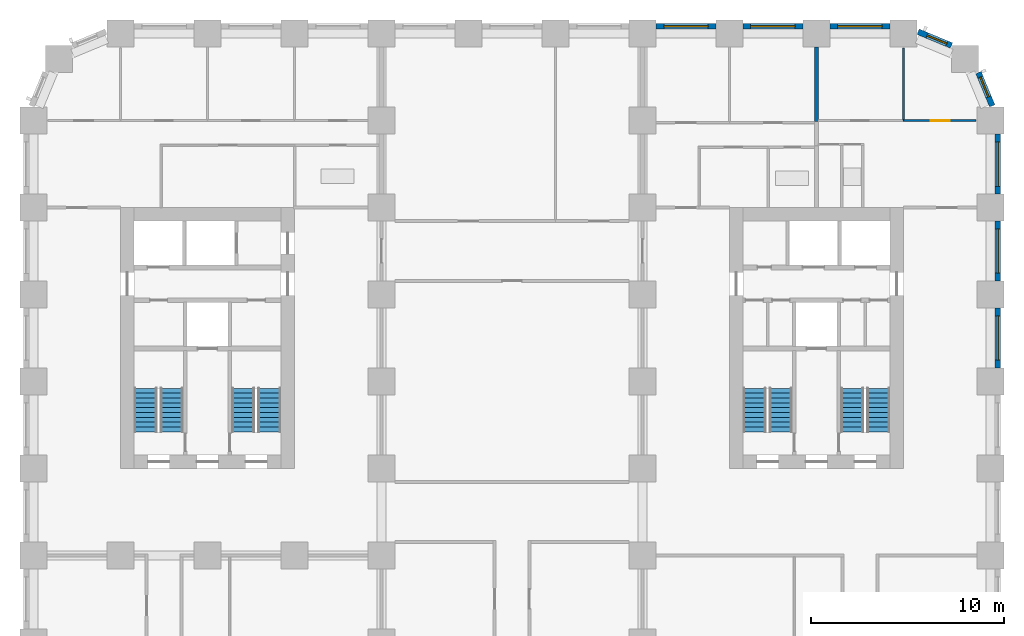
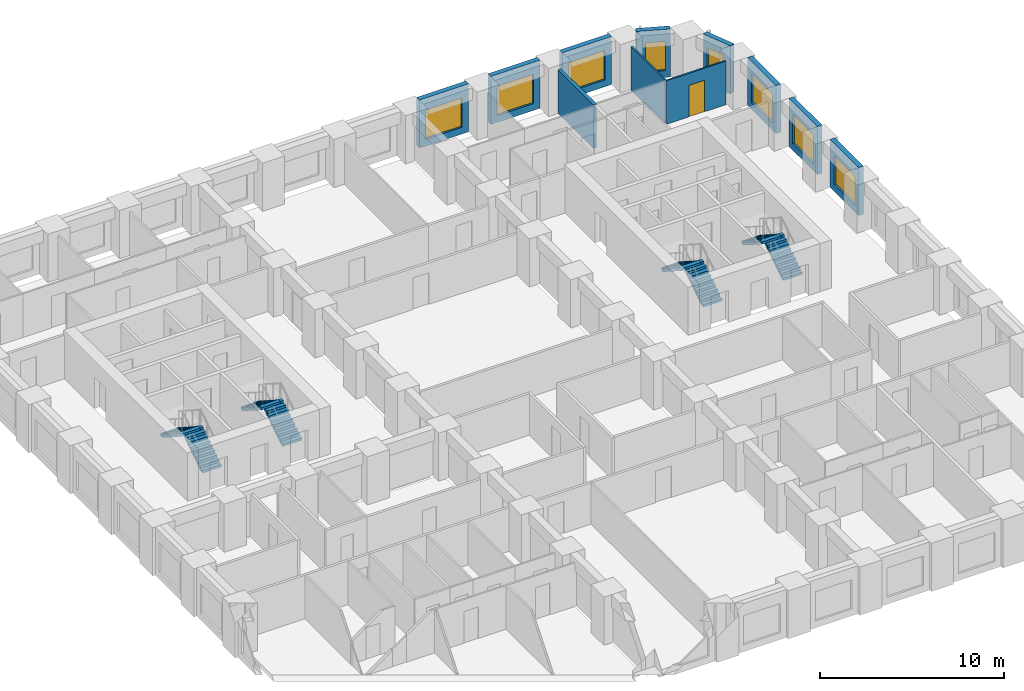
# One storey, part 9 of 12: 11 walls, 8 stair flights, 8 windows, 1 door, 9 openings, 4 elements without a shape of their own.
"""IFC4 building model written with IfcOpenShell, lengths in metres."""

from ifc_helpers import new_model, si_unit, direction, frame, frame_2d, origin, place, context, subcontext, project, spatial, polyline, rectangle, outline, extrude, material, layer, layer_set, type_object, element, fill, aggregate, save


model = new_model("IFC4")

# Units and contexts
model_context = context("Model", 3, precision=1e-05, world=origin(), true_north=direction((0.0, 1.0)))
body_context = subcontext(model_context, "Body", "Model", "MODEL_VIEW")
ifc_project = project(units=[si_unit("LENGTHUNIT", "METRE"), si_unit("AREAUNIT", "SQUARE_METRE"), si_unit("VOLUMEUNIT", "CUBIC_METRE"), si_unit("PLANEANGLEUNIT", "RADIAN"), si_unit("MASSUNIT", "GRAM", prefix="KILO")], contexts=[model_context])

# Site, building, storey
site_placement = place(None, origin())
site = spatial("IfcSite", under=ifc_project, at=site_placement, CompositionType="ELEMENT")
building_placement = place(site_placement, origin())
building = spatial("IfcBuilding", under=site, at=building_placement, Name="Girih Gate Residences", CompositionType="ELEMENT")
storey_placement = place(building_placement, frame((0.0, 0.0, 62.39990234375)))
storey = spatial("IfcBuildingStorey", under=building, at=storey_placement, Name="L16", CompositionType="ELEMENT", Elevation=62.39990234375)

# Wall
ifc_material_1 = material(Name="Gypsum board on steel studs", Category="steel")
ifc_layer_1 = layer(ifc_material_1, 0.10009765625)
ifc_layer_set_1 = layer_set([ifc_layer_1], Name="Partition 100 mm")
wall_type_1 = type_object("IfcWallType", Name="Partition 100 mm", PredefinedType="PARTITIONING", material=ifc_layer_set_1)
wall_1_placement = place(storey_placement, frame((45.0, 45.050048828125, 0.0), z_axis=(0.0, 0.0, 1.0), x_axis=(0.0, 1.0, 0.0)))
element("IfcWall", 1, at=wall_1_placement, inside=storey, type_object=wall_type_1, Name="L16 partition", PredefinedType="PARTITIONING", context=body_context, shape_type="SweptSolid", body=[
    extrude(rectangle(XDim=3.6923828125, YDim=0.10009765625, at=frame_2d((1.84619140625, 0.0))), origin(), (0.0, 0.0, 1.0), 2.900146484375),
])

# Wall, opening, door
wall_2_placement = place(storey_placement, frame((45.0, 45.0, 0.0), z_axis=(0.0, 0.0, 1.0), x_axis=(1.0, 0.0, 0.0)))
wall_2 = element("IfcWall", 2, at=wall_2_placement, inside=storey, type_object=wall_type_1, Name="L16 partition", PredefinedType="PARTITIONING", context=body_context, shape_type="SweptSolid", body=[
    extrude(rectangle(XDim=3.742431640625, YDim=0.10009765625, at=frame_2d((1.87109375, 0.0))), origin(), (0.0, 0.0, 1.0), 2.900146484375),
])
opening_1_placement = place(wall_2_placement, frame((1.39990234375, 0.0, 0.0)))
opening_1 = element("IfcOpeningElement", 3, at=opening_1_placement, cuts=wall_2, Name="Opening A16-031", PredefinedType="OPENING", context=body_context, shape_type="SweptSolid", body=[
    extrude(rectangle(XDim=1.0, YDim=2.10009765625, at=frame_2d((0.5, 1.050048828125))), frame((0.0, 0.06005859375, 0.0), z_axis=(0.0, -1.0, 0.0), x_axis=(1.0, 0.0, 0.0)), (0.0, 0.0, 1.0), 0.1201171875),
])
ifc_material_2 = material(Name="Timber", Category="wood")
door_type = type_object("IfcDoorType", Name="Living room door 1000x2100", OperationType="NOTDEFINED", PredefinedType="DOOR", material=ifc_material_2)
door_placement = place(opening_1_placement, origin())
door = element("IfcDoor", 4, at=door_placement, inside=storey, type_object=door_type, Name="Door A16-031", OperationType="SINGLE_SWING_RIGHT", OverallHeight=2.10009765625, OverallWidth=1.0, PredefinedType="DOOR", context=body_context, shape_type="SweptSolid", body=[
    extrude(rectangle(XDim=1.0, YDim=2.10009765625, at=frame_2d((0.5, 1.050048828125))), frame((0.0, 0.02490234375, 0.0), z_axis=(0.0, -1.0, 0.0), x_axis=(1.0, 0.0, 0.0)), (0.0, 0.0, 1.0), 0.050048828125),
])
fill(opening_1, door)

# Wall
ifc_layer_2 = layer(ifc_material_1, 0.199951171875)
ifc_layer_set_2 = layer_set([ifc_layer_2], Name="Party wall 200 mm")
wall_type_2 = type_object("IfcWallType", Name="Party wall 200 mm", PredefinedType="PARTITIONING", material=ifc_layer_set_2)
wall_3_placement = place(storey_placement, frame((40.5, 44.949951171875, 0.0), z_axis=(0.0, 0.0, 1.0), x_axis=(0.0, 1.0, 0.0)))
element("IfcWall", 5, at=wall_3_placement, inside=storey, type_object=wall_type_2, Name="L16 partition", PredefinedType="PARTITIONING", context=body_context, shape_type="SweptSolid", body=[
    extrude(rectangle(XDim=3.85009765625, YDim=0.199951171875, at=frame_2d((1.925048828125, 0.0))), origin(), (0.0, 0.0, 1.0), 2.900146484375),
])

# Wall, opening, window
ifc_material_3 = material(Name="Precast concrete C50/60", Category="concrete")
ifc_layer_3 = layer(ifc_material_3, 0.080078125, Name="Outer leaf")
ifc_material_4 = material(Name="Rigid PIR insulation")
ifc_layer_4 = layer(ifc_material_4, 0.14990234375, Name="Insulation")
ifc_material_5 = material(Name="Precast concrete C40/50", Category="concrete")
ifc_layer_5 = layer(ifc_material_5, 0.070068359375, Name="Inner leaf")
ifc_layer_set_3 = layer_set([ifc_layer_3, ifc_layer_4, ifc_layer_5], Name="Precast concrete C50/60 external wall 300")
wall_type_3 = type_object("IfcWallType", Name="Precast concrete C50/60 external wall 300", PredefinedType="SOLIDWALL", material=ifc_layer_set_3)
wall_4_placement = place(storey_placement, frame((49.875, 35.300048828125, 0.0), z_axis=(0.0, 0.0, 1.0), x_axis=(0.0, -1.0, 0.0)))
wall_4 = element("IfcWall", 6, at=wall_4_placement, inside=storey, type_object=wall_type_3, Name="External wall E0495_0045.6", PredefinedType="SOLIDWALL", context=body_context, shape_type="SweptSolid", body=[
    extrude(rectangle(XDim=3.10009765625, YDim=0.300048828125, at=frame_2d((1.550048828125, 0.0))), origin(), (0.0, 0.0, 1.0), 3.2001953125),
])
opening_2_placement = place(wall_4_placement, frame((0.39990234375, 0.0, 0.449951171875)))
opening_2 = element("IfcOpeningElement", 7, at=opening_2_placement, cuts=wall_4, Name="Opening W-1", PredefinedType="OPENING", context=body_context, shape_type="SweptSolid", body=[
    extrude(rectangle(XDim=2.300048828125, YDim=1.949951171875, at=frame_2d((1.14990234375, 0.97509765625))), frame((0.0, 0.159912109375, 0.0), z_axis=(0.0, -1.0, 0.0), x_axis=(1.0, 0.0, 0.0)), (0.0, 0.0, 1.0), 0.320068359375),
])
ifc_material_6 = material(Name="Double glazing in aluminium frame", Category="aluminium")
window_type_1 = type_object("IfcWindowType", Name="Window W-1 2300x1950", PartitioningType="SINGLE_PANEL", PredefinedType="WINDOW", material=ifc_material_6)
window_1_placement = place(opening_2_placement, origin())
window_1 = element("IfcWindow", 8, at=window_1_placement, inside=storey, type_object=window_type_1, Name="Window W-1 E0495_0045.6", OverallHeight=1.949951171875, OverallWidth=2.300048828125, PartitioningType="SINGLE_PANEL", PredefinedType="WINDOW", context=body_context, shape_type="SweptSolid", body=[
    extrude(rectangle(XDim=2.300048828125, YDim=1.949951171875, at=frame_2d((1.14990234375, 0.97509765625))), frame((0.0, 0.030029296875, 0.0), z_axis=(0.0, -1.0, 0.0), x_axis=(1.0, 0.0, 0.0)), (0.0, 0.0, 1.0), 0.06005859375),
])
fill(opening_2, window_1)

wall_5_placement = place(storey_placement, frame((49.875, 39.800048828125, 0.0), z_axis=(0.0, 0.0, 1.0), x_axis=(0.0, -1.0, 0.0)))
wall_5 = element("IfcWall", 9, at=wall_5_placement, inside=storey, type_object=wall_type_3, Name="External wall E0495_0045.7", PredefinedType="SOLIDWALL", context=body_context, shape_type="SweptSolid", body=[
    extrude(rectangle(XDim=3.10009765625, YDim=0.300048828125, at=frame_2d((1.550048828125, 0.0))), origin(), (0.0, 0.0, 1.0), 3.2001953125),
])
opening_3_placement = place(wall_5_placement, frame((0.39990234375, 0.0, 0.449951171875)))
opening_3 = element("IfcOpeningElement", 10, at=opening_3_placement, cuts=wall_5, Name="Opening W-1", PredefinedType="OPENING", context=body_context, shape_type="SweptSolid", body=[
    extrude(rectangle(XDim=2.300048828125, YDim=1.949951171875, at=frame_2d((1.14990234375, 0.97509765625))), frame((0.0, 0.159912109375, 0.0), z_axis=(0.0, -1.0, 0.0), x_axis=(1.0, 0.0, 0.0)), (0.0, 0.0, 1.0), 0.320068359375),
])
window_2_placement = place(opening_3_placement, origin())
window_2 = element("IfcWindow", 11, at=window_2_placement, inside=storey, type_object=window_type_1, Name="Window W-1 E0495_0045.7", OverallHeight=1.949951171875, OverallWidth=2.300048828125, PartitioningType="SINGLE_PANEL", PredefinedType="WINDOW", context=body_context, shape_type="SweptSolid", body=[
    extrude(rectangle(XDim=2.300048828125, YDim=1.949951171875, at=frame_2d((1.14990234375, 0.97509765625))), frame((0.0, 0.030029296875, 0.0), z_axis=(0.0, -1.0, 0.0), x_axis=(1.0, 0.0, 0.0)), (0.0, 0.0, 1.0), 0.06005859375),
])
fill(opening_3, window_2)

wall_6_placement = place(storey_placement, frame((49.875, 44.300048828125, 0.0), z_axis=(0.0, 0.0, 1.0), x_axis=(0.0, -1.0, 0.0)))
wall_6 = element("IfcWall", 12, at=wall_6_placement, inside=storey, type_object=wall_type_3, Name="External wall E0495_0045.8", PredefinedType="SOLIDWALL", context=body_context, shape_type="SweptSolid", body=[
    extrude(rectangle(XDim=3.10009765625, YDim=0.300048828125, at=frame_2d((1.550048828125, 0.0))), origin(), (0.0, 0.0, 1.0), 3.2001953125),
])
opening_4_placement = place(wall_6_placement, frame((0.39990234375, 0.0, 0.449951171875)))
opening_4 = element("IfcOpeningElement", 13, at=opening_4_placement, cuts=wall_6, Name="Opening W-1", PredefinedType="OPENING", context=body_context, shape_type="SweptSolid", body=[
    extrude(rectangle(XDim=2.300048828125, YDim=1.949951171875, at=frame_2d((1.14990234375, 0.97509765625))), frame((0.0, 0.159912109375, 0.0), z_axis=(0.0, -1.0, 0.0), x_axis=(1.0, 0.0, 0.0)), (0.0, 0.0, 1.0), 0.320068359375),
])
window_3_placement = place(opening_4_placement, origin())
window_3 = element("IfcWindow", 14, at=window_3_placement, inside=storey, type_object=window_type_1, Name="Window W-1 E0495_0045.8", OverallHeight=1.949951171875, OverallWidth=2.300048828125, PartitioningType="SINGLE_PANEL", PredefinedType="WINDOW", context=body_context, shape_type="SweptSolid", body=[
    extrude(rectangle(XDim=2.300048828125, YDim=1.949951171875, at=frame_2d((1.14990234375, 0.97509765625))), frame((0.0, 0.030029296875, 0.0), z_axis=(0.0, -1.0, 0.0), x_axis=(1.0, 0.0, 0.0)), (0.0, 0.0, 1.0), 0.06005859375),
])
fill(opening_4, window_3)

wall_7_placement = place(storey_placement, frame((48.87841796875, 47.48046875, 0.0), z_axis=(0.0, 0.0, 1.0), x_axis=(0.38262540684, -0.923903565336, 0.0)))
wall_7 = element("IfcWall", 15, at=wall_7_placement, inside=storey, type_object=wall_type_3, Name="External wall NE0495_0450.0", PredefinedType="SOLIDWALL", context=body_context, shape_type="SweptSolid", body=[
    extrude(rectangle(XDim=1.864990234375, YDim=0.300048828125, at=frame_2d((0.9326171875, 0.0))), origin(), (0.0, 0.0, 1.0), 3.2001953125),
])
opening_5_placement = place(wall_7_placement, frame((0.257568359375, 0.0, 0.449951171875)))
opening_5 = element("IfcOpeningElement", 16, at=opening_5_placement, cuts=wall_7, Name="Opening W-2C", PredefinedType="OPENING", context=body_context, shape_type="SweptSolid", body=[
    extrude(rectangle(XDim=1.10009765625, YDim=1.949951171875, at=frame_2d((0.550048828125, 0.97509765625))), frame((0.0, 0.159912109375, 0.0), z_axis=(0.0, -1.0, 0.0), x_axis=(1.0, 0.0, 0.0)), (0.0, 0.0, 1.0), 0.320068359375),
])
window_type_2 = type_object("IfcWindowType", Name="Window W-2C 1100x1950", PartitioningType="SINGLE_PANEL", PredefinedType="WINDOW", material=ifc_material_6)
window_4_placement = place(opening_5_placement, origin())
window_4 = element("IfcWindow", 17, at=window_4_placement, inside=storey, type_object=window_type_2, Name="Window W-2C NE0495_0450.0", OverallHeight=1.949951171875, OverallWidth=1.10009765625, PartitioningType="SINGLE_PANEL", PredefinedType="WINDOW", context=body_context, shape_type="SweptSolid", body=[
    extrude(rectangle(XDim=1.10009765625, YDim=1.949951171875, at=frame_2d((0.550048828125, 0.97509765625))), frame((0.0, 0.030029296875, 0.0), z_axis=(0.0, -1.0, 0.0), x_axis=(1.0, 0.0, 0.0)), (0.0, 0.0, 1.0), 0.06005859375),
])
fill(opening_5, window_4)

wall_8_placement = place(storey_placement, frame((45.75732421875, 49.59228515625, 0.0), z_axis=(0.0, 0.0, 1.0), x_axis=(0.923857286003, -0.382737135771, 0.0)))
wall_8 = element("IfcWall", 18, at=wall_8_placement, inside=storey, type_object=wall_type_3, Name="External wall NE0482_0482.0", PredefinedType="SOLIDWALL", context=body_context, shape_type="SweptSolid", body=[
    extrude(rectangle(XDim=1.865234375, YDim=0.300048828125, at=frame_2d((0.9326171875, 0.0))), origin(), (0.0, 0.0, 1.0), 3.2001953125),
])
opening_6_placement = place(wall_8_placement, frame((0.507568359375, 0.0, 0.449951171875)))
opening_6 = element("IfcOpeningElement", 19, at=opening_6_placement, cuts=wall_8, Name="Opening W-2C", PredefinedType="OPENING", context=body_context, shape_type="SweptSolid", body=[
    extrude(rectangle(XDim=1.10009765625, YDim=1.949951171875, at=frame_2d((0.550048828125, 0.97509765625))), frame((0.0, 0.159912109375, 0.0), z_axis=(0.0, -1.0, 0.0), x_axis=(1.0, 0.0, 0.0)), (0.0, 0.0, 1.0), 0.320068359375),
])
window_5_placement = place(opening_6_placement, origin())
window_5 = element("IfcWindow", 20, at=window_5_placement, inside=storey, type_object=window_type_2, Name="Window W-2C NE0482_0482.0", OverallHeight=1.949951171875, OverallWidth=1.10009765625, PartitioningType="SINGLE_PANEL", PredefinedType="WINDOW", context=body_context, shape_type="SweptSolid", body=[
    extrude(rectangle(XDim=1.10009765625, YDim=1.949951171875, at=frame_2d((0.550048828125, 0.97509765625))), frame((0.0, 0.030029296875, 0.0), z_axis=(0.0, -1.0, 0.0), x_axis=(1.0, 0.0, 0.0)), (0.0, 0.0, 1.0), 0.06005859375),
])
fill(opening_6, window_5)

wall_9_placement = place(storey_placement, frame((41.199951171875, 49.875, 0.0), z_axis=(0.0, 0.0, 1.0), x_axis=(1.0, 0.0, 0.0)))
wall_9 = element("IfcWall", 21, at=wall_9_placement, inside=storey, type_object=wall_type_3, Name="External wall N0450_0495.0", PredefinedType="SOLIDWALL", context=body_context, shape_type="SweptSolid", body=[
    extrude(rectangle(XDim=3.10009765625, YDim=0.300048828125, at=frame_2d((1.550048828125, 0.0))), origin(), (0.0, 0.0, 1.0), 3.2001953125),
])
opening_7_placement = place(wall_9_placement, frame((0.39990234375, 0.0, 0.449951171875)))
opening_7 = element("IfcOpeningElement", 22, at=opening_7_placement, cuts=wall_9, Name="Opening W-1", PredefinedType="OPENING", context=body_context, shape_type="SweptSolid", body=[
    extrude(rectangle(XDim=2.300048828125, YDim=1.949951171875, at=frame_2d((1.14990234375, 0.97509765625))), frame((0.0, 0.159912109375, 0.0), z_axis=(0.0, -1.0, 0.0), x_axis=(1.0, 0.0, 0.0)), (0.0, 0.0, 1.0), 0.320068359375),
])
window_6_placement = place(opening_7_placement, origin())
window_6 = element("IfcWindow", 23, at=window_6_placement, inside=storey, type_object=window_type_1, Name="Window W-1 N0450_0495.0", OverallHeight=1.949951171875, OverallWidth=2.300048828125, PartitioningType="SINGLE_PANEL", PredefinedType="WINDOW", context=body_context, shape_type="SweptSolid", body=[
    extrude(rectangle(XDim=2.300048828125, YDim=1.949951171875, at=frame_2d((1.14990234375, 0.97509765625))), frame((0.0, 0.030029296875, 0.0), z_axis=(0.0, -1.0, 0.0), x_axis=(1.0, 0.0, 0.0)), (0.0, 0.0, 1.0), 0.06005859375),
])
fill(opening_7, window_6)

wall_10_placement = place(storey_placement, frame((36.699951171875, 49.875, 0.0), z_axis=(0.0, 0.0, 1.0), x_axis=(1.0, 0.0, 0.0)))
wall_10 = element("IfcWall", 24, at=wall_10_placement, inside=storey, type_object=wall_type_3, Name="External wall N0450_0495.1", PredefinedType="SOLIDWALL", context=body_context, shape_type="SweptSolid", body=[
    extrude(rectangle(XDim=3.10009765625, YDim=0.300048828125, at=frame_2d((1.550048828125, 0.0))), origin(), (0.0, 0.0, 1.0), 3.2001953125),
])
opening_8_placement = place(wall_10_placement, frame((0.39990234375, 0.0, 0.449951171875)))
opening_8 = element("IfcOpeningElement", 25, at=opening_8_placement, cuts=wall_10, Name="Opening W-1", PredefinedType="OPENING", context=body_context, shape_type="SweptSolid", body=[
    extrude(rectangle(XDim=2.300048828125, YDim=1.949951171875, at=frame_2d((1.14990234375, 0.97509765625))), frame((0.0, 0.159912109375, 0.0), z_axis=(0.0, -1.0, 0.0), x_axis=(1.0, 0.0, 0.0)), (0.0, 0.0, 1.0), 0.320068359375),
])
window_7_placement = place(opening_8_placement, origin())
window_7 = element("IfcWindow", 26, at=window_7_placement, inside=storey, type_object=window_type_1, Name="Window W-1 N0450_0495.1", OverallHeight=1.949951171875, OverallWidth=2.300048828125, PartitioningType="SINGLE_PANEL", PredefinedType="WINDOW", context=body_context, shape_type="SweptSolid", body=[
    extrude(rectangle(XDim=2.300048828125, YDim=1.949951171875, at=frame_2d((1.14990234375, 0.97509765625))), frame((0.0, 0.030029296875, 0.0), z_axis=(0.0, -1.0, 0.0), x_axis=(1.0, 0.0, 0.0)), (0.0, 0.0, 1.0), 0.06005859375),
])
fill(opening_8, window_7)

wall_11_placement = place(storey_placement, frame((32.199951171875, 49.875, 0.0), z_axis=(0.0, 0.0, 1.0), x_axis=(1.0, 0.0, 0.0)))
wall_11 = element("IfcWall", 27, at=wall_11_placement, inside=storey, type_object=wall_type_3, Name="External wall N0450_0495.2", PredefinedType="SOLIDWALL", context=body_context, shape_type="SweptSolid", body=[
    extrude(rectangle(XDim=3.10009765625, YDim=0.300048828125, at=frame_2d((1.550048828125, 0.0))), origin(), (0.0, 0.0, 1.0), 3.2001953125),
])
opening_9_placement = place(wall_11_placement, frame((0.39990234375, 0.0, 0.449951171875)))
opening_9 = element("IfcOpeningElement", 28, at=opening_9_placement, cuts=wall_11, Name="Opening W-1", PredefinedType="OPENING", context=body_context, shape_type="SweptSolid", body=[
    extrude(rectangle(XDim=2.300048828125, YDim=1.949951171875, at=frame_2d((1.14990234375, 0.97509765625))), frame((0.0, 0.159912109375, 0.0), z_axis=(0.0, -1.0, 0.0), x_axis=(1.0, 0.0, 0.0)), (0.0, 0.0, 1.0), 0.320068359375),
])
window_8_placement = place(opening_9_placement, origin())
window_8 = element("IfcWindow", 29, at=window_8_placement, inside=storey, type_object=window_type_1, Name="Window W-1 N0450_0495.2", OverallHeight=1.949951171875, OverallWidth=2.300048828125, PartitioningType="SINGLE_PANEL", PredefinedType="WINDOW", context=body_context, shape_type="SweptSolid", body=[
    extrude(rectangle(XDim=2.300048828125, YDim=1.949951171875, at=frame_2d((1.14990234375, 0.97509765625))), frame((0.0, 0.030029296875, 0.0), z_axis=(0.0, -1.0, 0.0), x_axis=(1.0, 0.0, 0.0)), (0.0, 0.0, 1.0), 0.06005859375),
])
fill(opening_9, window_8)

# Stair, stair flights
ifc_material_7 = material(Name="Concrete C40/50", Category="concrete")
stair_type = type_object("IfcStairType", Name="Exit stair", PredefinedType="HALF_TURN_STAIR", material=ifc_material_7)
stair_1_placement = place(storey_placement, origin())
stair_1 = element("IfcStair", 30, at=stair_1_placement, inside=storey, type_object=stair_type, Name="L16 Exit Stair ST-W1", PredefinedType="HALF_TURN_STAIR")
stair_flight_type = type_object("IfcStairFlightType", Name="Stair flight 1200", PredefinedType="STRAIGHT", material=ifc_material_7)
stair_flight_1_placement = place(storey_placement, frame((7.14990234375, 28.89990234375, 0.0), z_axis=(0.0, 0.0, 1.0), x_axis=(0.0, 1.0, 0.0)))
stair_flight_1 = element("IfcStairFlight", 31, at=stair_flight_1_placement, type_object=stair_flight_type, Name="ST-W1 flight 1", NumberOfRisers=10, NumberOfTreads=9, PredefinedType="STRAIGHT", RiserHeight=0.16, TreadLength=0.25, context=body_context, shape_type="SweptSolid", body=[
    extrude(outline(polyline([(0.0, 0.0), (0.0, 0.159912109375), (0.25, 0.159912109375), (0.25, 0.320068359375), (0.5, 0.320068359375), (0.5, 0.47998046875), (0.75, 0.47998046875), (0.75, 0.639892578125), (1.0, 0.639892578125), (1.0, 0.800048828125), (1.25, 0.800048828125), (1.25, 0.9599609375), (1.5, 0.9599609375), (1.5, 1.1201171875), (1.75, 1.1201171875), (1.75, 1.280029296875), (2.0, 1.280029296875), (2.0, 1.43994140625), (2.25, 1.43994140625), (2.25, 1.60009765625), (2.25, 1.29736328125), (0.222900390625, 0.0), (0.0, 0.0)])), frame((0.0, 0.60009765625, 0.0), z_axis=(0.0, -1.0, 0.0), x_axis=(1.0, 0.0, 0.0)), (0.0, 0.0, 1.0), 1.199951171875),
])
stair_flight_2_placement = place(storey_placement, frame((5.800048828125, 31.14990234375, 1.60009765625), z_axis=(0.0, 0.0, 1.0), x_axis=(0.0, -1.0, 0.0)))
stair_flight_2 = element("IfcStairFlight", 32, at=stair_flight_2_placement, type_object=stair_flight_type, Name="ST-W1 flight 2", NumberOfRisers=10, NumberOfTreads=9, PredefinedType="STRAIGHT", RiserHeight=0.16, TreadLength=0.25, context=body_context, shape_type="SweptSolid", body=[
    extrude(outline(polyline([(0.0, 0.0), (0.0, 0.159912109375), (0.25, 0.159912109375), (0.25, 0.320068359375), (0.5, 0.320068359375), (0.5, 0.47998046875), (0.75, 0.47998046875), (0.75, 0.639892578125), (1.0, 0.639892578125), (1.0, 0.800048828125), (1.25, 0.800048828125), (1.25, 0.9599609375), (1.5, 0.9599609375), (1.5, 1.1201171875), (1.75, 1.1201171875), (1.75, 1.280029296875), (2.0, 1.280029296875), (2.0, 1.43994140625), (2.25, 1.43994140625), (2.25, 1.60009765625), (2.25, 1.29736328125), (0.222900390625, 0.0), (0.0, 0.0)])), frame((0.0, 0.60009765625, 0.0), z_axis=(0.0, -1.0, 0.0), x_axis=(1.0, 0.0, 0.0)), (0.0, 0.0, 1.0), 1.199951171875),
])
aggregate(stair_1, [stair_flight_1, stair_flight_2])

stair_2_placement = place(storey_placement, origin())
stair_2 = element("IfcStair", 33, at=stair_2_placement, inside=storey, type_object=stair_type, Name="L16 Exit Stair ST-W2", PredefinedType="HALF_TURN_STAIR")
stair_flight_3_placement = place(storey_placement, frame((12.199951171875, 28.89990234375, 0.0), z_axis=(0.0, 0.0, 1.0), x_axis=(0.0, 1.0, 0.0)))
stair_flight_3 = element("IfcStairFlight", 34, at=stair_flight_3_placement, type_object=stair_flight_type, Name="ST-W2 flight 1", NumberOfRisers=10, NumberOfTreads=9, PredefinedType="STRAIGHT", RiserHeight=0.16, TreadLength=0.25, context=body_context, shape_type="SweptSolid", body=[
    extrude(outline(polyline([(0.0, 0.0), (0.0, 0.159912109375), (0.25, 0.159912109375), (0.25, 0.320068359375), (0.5, 0.320068359375), (0.5, 0.47998046875), (0.75, 0.47998046875), (0.75, 0.639892578125), (1.0, 0.639892578125), (1.0, 0.800048828125), (1.25, 0.800048828125), (1.25, 0.9599609375), (1.5, 0.9599609375), (1.5, 1.1201171875), (1.75, 1.1201171875), (1.75, 1.280029296875), (2.0, 1.280029296875), (2.0, 1.43994140625), (2.25, 1.43994140625), (2.25, 1.60009765625), (2.25, 1.29736328125), (0.222900390625, 0.0), (0.0, 0.0)])), frame((0.0, 0.60009765625, 0.0), z_axis=(0.0, -1.0, 0.0), x_axis=(1.0, 0.0, 0.0)), (0.0, 0.0, 1.0), 1.199951171875),
])
stair_flight_4_placement = place(storey_placement, frame((10.85009765625, 31.14990234375, 1.60009765625), z_axis=(0.0, 0.0, 1.0), x_axis=(0.0, -1.0, 0.0)))
stair_flight_4 = element("IfcStairFlight", 35, at=stair_flight_4_placement, type_object=stair_flight_type, Name="ST-W2 flight 2", NumberOfRisers=10, NumberOfTreads=9, PredefinedType="STRAIGHT", RiserHeight=0.16, TreadLength=0.25, context=body_context, shape_type="SweptSolid", body=[
    extrude(outline(polyline([(0.0, 0.0), (0.0, 0.159912109375), (0.25, 0.159912109375), (0.25, 0.320068359375), (0.5, 0.320068359375), (0.5, 0.47998046875), (0.75, 0.47998046875), (0.75, 0.639892578125), (1.0, 0.639892578125), (1.0, 0.800048828125), (1.25, 0.800048828125), (1.25, 0.9599609375), (1.5, 0.9599609375), (1.5, 1.1201171875), (1.75, 1.1201171875), (1.75, 1.280029296875), (2.0, 1.280029296875), (2.0, 1.43994140625), (2.25, 1.43994140625), (2.25, 1.60009765625), (2.25, 1.29736328125), (0.222900390625, 0.0), (0.0, 0.0)])), frame((0.0, 0.60009765625, 0.0), z_axis=(0.0, -1.0, 0.0), x_axis=(1.0, 0.0, 0.0)), (0.0, 0.0, 1.0), 1.199951171875),
])
aggregate(stair_2, [stair_flight_3, stair_flight_4])

stair_3_placement = place(storey_placement, origin())
stair_3 = element("IfcStair", 36, at=stair_3_placement, inside=storey, type_object=stair_type, Name="L16 Exit Stair ST-E1", PredefinedType="HALF_TURN_STAIR")
stair_flight_5_placement = place(storey_placement, frame((43.699951171875, 28.89990234375, 0.0), z_axis=(0.0, 0.0, 1.0), x_axis=(0.0, 1.0, 0.0)))
stair_flight_5 = element("IfcStairFlight", 37, at=stair_flight_5_placement, type_object=stair_flight_type, Name="ST-E1 flight 1", NumberOfRisers=10, NumberOfTreads=9, PredefinedType="STRAIGHT", RiserHeight=0.16, TreadLength=0.25, context=body_context, shape_type="SweptSolid", body=[
    extrude(outline(polyline([(0.0, 0.0), (0.0, 0.159912109375), (0.25, 0.159912109375), (0.25, 0.320068359375), (0.5, 0.320068359375), (0.5, 0.47998046875), (0.75, 0.47998046875), (0.75, 0.639892578125), (1.0, 0.639892578125), (1.0, 0.800048828125), (1.25, 0.800048828125), (1.25, 0.9599609375), (1.5, 0.9599609375), (1.5, 1.1201171875), (1.75, 1.1201171875), (1.75, 1.280029296875), (2.0, 1.280029296875), (2.0, 1.43994140625), (2.25, 1.43994140625), (2.25, 1.60009765625), (2.25, 1.29736328125), (0.222900390625, 0.0), (0.0, 0.0)])), frame((0.0, 0.60009765625, 0.0), z_axis=(0.0, -1.0, 0.0), x_axis=(1.0, 0.0, 0.0)), (0.0, 0.0, 1.0), 1.199951171875),
])
stair_flight_6_placement = place(storey_placement, frame((42.35009765625, 31.14990234375, 1.60009765625), z_axis=(0.0, 0.0, 1.0), x_axis=(0.0, -1.0, 0.0)))
stair_flight_6 = element("IfcStairFlight", 38, at=stair_flight_6_placement, type_object=stair_flight_type, Name="ST-E1 flight 2", NumberOfRisers=10, NumberOfTreads=9, PredefinedType="STRAIGHT", RiserHeight=0.16, TreadLength=0.25, context=body_context, shape_type="SweptSolid", body=[
    extrude(outline(polyline([(0.0, 0.0), (0.0, 0.159912109375), (0.25, 0.159912109375), (0.25, 0.320068359375), (0.5, 0.320068359375), (0.5, 0.47998046875), (0.75, 0.47998046875), (0.75, 0.639892578125), (1.0, 0.639892578125), (1.0, 0.800048828125), (1.25, 0.800048828125), (1.25, 0.9599609375), (1.5, 0.9599609375), (1.5, 1.1201171875), (1.75, 1.1201171875), (1.75, 1.280029296875), (2.0, 1.280029296875), (2.0, 1.43994140625), (2.25, 1.43994140625), (2.25, 1.60009765625), (2.25, 1.29736328125), (0.222900390625, 0.0), (0.0, 0.0)])), frame((0.0, 0.60009765625, 0.0), z_axis=(0.0, -1.0, 0.0), x_axis=(1.0, 0.0, 0.0)), (0.0, 0.0, 1.0), 1.199951171875),
])
aggregate(stair_3, [stair_flight_5, stair_flight_6])

stair_4_placement = place(storey_placement, origin())
stair_4 = element("IfcStair", 39, at=stair_4_placement, inside=storey, type_object=stair_type, Name="L16 Exit Stair ST-E2", PredefinedType="HALF_TURN_STAIR")
stair_flight_7_placement = place(storey_placement, frame((38.64990234375, 28.89990234375, 0.0), z_axis=(0.0, 0.0, 1.0), x_axis=(0.0, 1.0, 0.0)))
stair_flight_7 = element("IfcStairFlight", 40, at=stair_flight_7_placement, type_object=stair_flight_type, Name="ST-E2 flight 1", NumberOfRisers=10, NumberOfTreads=9, PredefinedType="STRAIGHT", RiserHeight=0.16, TreadLength=0.25, context=body_context, shape_type="SweptSolid", body=[
    extrude(outline(polyline([(0.0, 0.0), (0.0, 0.159912109375), (0.25, 0.159912109375), (0.25, 0.320068359375), (0.5, 0.320068359375), (0.5, 0.47998046875), (0.75, 0.47998046875), (0.75, 0.639892578125), (1.0, 0.639892578125), (1.0, 0.800048828125), (1.25, 0.800048828125), (1.25, 0.9599609375), (1.5, 0.9599609375), (1.5, 1.1201171875), (1.75, 1.1201171875), (1.75, 1.280029296875), (2.0, 1.280029296875), (2.0, 1.43994140625), (2.25, 1.43994140625), (2.25, 1.60009765625), (2.25, 1.29736328125), (0.222900390625, 0.0), (0.0, 0.0)])), frame((0.0, 0.60009765625, 0.0), z_axis=(0.0, -1.0, 0.0), x_axis=(1.0, 0.0, 0.0)), (0.0, 0.0, 1.0), 1.199951171875),
])
stair_flight_8_placement = place(storey_placement, frame((37.300048828125, 31.14990234375, 1.60009765625), z_axis=(0.0, 0.0, 1.0), x_axis=(0.0, -1.0, 0.0)))
stair_flight_8 = element("IfcStairFlight", 41, at=stair_flight_8_placement, type_object=stair_flight_type, Name="ST-E2 flight 2", NumberOfRisers=10, NumberOfTreads=9, PredefinedType="STRAIGHT", RiserHeight=0.16, TreadLength=0.25, context=body_context, shape_type="SweptSolid", body=[
    extrude(outline(polyline([(0.0, 0.0), (0.0, 0.159912109375), (0.25, 0.159912109375), (0.25, 0.320068359375), (0.5, 0.320068359375), (0.5, 0.47998046875), (0.75, 0.47998046875), (0.75, 0.639892578125), (1.0, 0.639892578125), (1.0, 0.800048828125), (1.25, 0.800048828125), (1.25, 0.9599609375), (1.5, 0.9599609375), (1.5, 1.1201171875), (1.75, 1.1201171875), (1.75, 1.280029296875), (2.0, 1.280029296875), (2.0, 1.43994140625), (2.25, 1.43994140625), (2.25, 1.60009765625), (2.25, 1.29736328125), (0.222900390625, 0.0), (0.0, 0.0)])), frame((0.0, 0.60009765625, 0.0), z_axis=(0.0, -1.0, 0.0), x_axis=(1.0, 0.0, 0.0)), (0.0, 0.0, 1.0), 1.199951171875),
])
aggregate(stair_4, [stair_flight_7, stair_flight_8])

save(model, "model.ifc")
